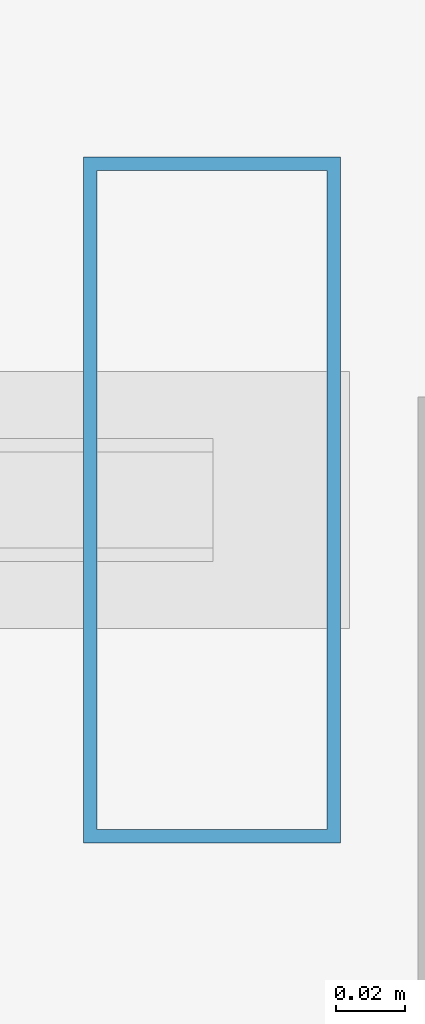
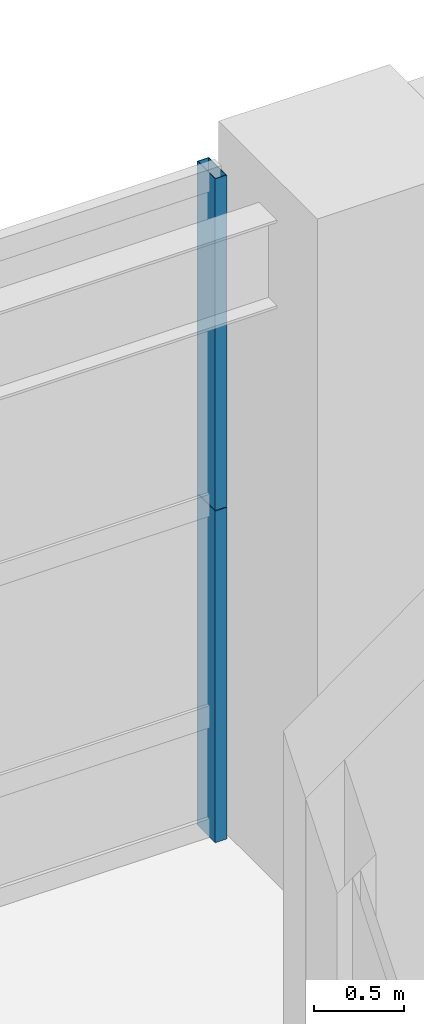
# One storey, part 27 of 39: 2 members, 1 element without a shape of its own.
"""IFC4 building model written with IfcOpenShell, lengths in metres."""

from ifc_helpers import new_model, si_unit, direction, frame, origin, origin_2d, place, context, subcontext, project, spatial, hollow_rectangle, extrude, source, transform, mapped, material, layer, layer_set, material_profile, profile_set, type_object, element, aggregate, save


model = new_model("IFC4")

# Units and contexts
model_context = context("Model", 3, precision=1e-05, world=origin(), true_north=direction((0.0, 1.0)))
body_context = subcontext(model_context, "Body", "Model", "MODEL_VIEW")
ifc_project = project(units=[si_unit("LENGTHUNIT", "METRE"), si_unit("AREAUNIT", "SQUARE_METRE"), si_unit("VOLUMEUNIT", "CUBIC_METRE"), si_unit("PLANEANGLEUNIT", "RADIAN"), si_unit("MASSUNIT", "GRAM", prefix="KILO"), si_unit("THERMODYNAMICTEMPERATUREUNIT", "KELVIN"), si_unit("POWERUNIT", "WATT")], contexts=[model_context])

# Site, building, storey
site_placement = place(None, origin())
site = spatial("IfcSite", under=ifc_project, at=site_placement, CompositionType="ELEMENT")
building_placement = place(site_placement, origin())
building = spatial("IfcBuilding", under=site, at=building_placement, Name="Yuzanri Waterfront Tower", CompositionType="ELEMENT")
storey_placement = place(building_placement, frame((0.0, 0.0, 15.0)))
storey = spatial("IfcBuildingStorey", under=building, at=storey_placement, Name="L04", CompositionType="ELEMENT", Elevation=15.0)

# Curtain wall, members
ifc_material_1 = material(Name="Anodized Architectural Bronze", Category="metal")
ifc_layer = layer(ifc_material_1, 0.159912109375)
ifc_layer_set = layer_set([ifc_layer], Name="Anodized Architectural Bronze")
curtain_wall_type = type_object("IfcCurtainWallType", Name="Anodized Bronze Podium Waterfront Double-Height Unitized Curtain Wall 8400", PredefinedType="NOTDEFINED", material=ifc_layer_set)
curtain_wall_placement = place(storey_placement, origin())
curtain_wall = element("IfcCurtainWall", 1, at=curtain_wall_placement, inside=storey, type_object=curtain_wall_type, Name="L04 Curtain Wall CW-L04-N2", PredefinedType="NOTDEFINED")
ifc_material_2 = material(Name="Anodized Architectural Bronze", Category="metal")
ifc_material_profile = material_profile(ifc_material_2, hollow_rectangle(XDim=0.074951171875, YDim=0.199951171875, WallThickness=0.00390625, at=origin_2d()), Name="CWM 75x200")
ifc_profile_set = profile_set([ifc_material_profile], Name="Anodized Architectural Bronze")
member_type = type_object("IfcMemberType", Name="Anodized Bronze Primary Curtain-Wall Mullion 75x200", PredefinedType="MULLION", material=ifc_profile_set)
shared_shape = source(origin(), body_context, "Body", "SweptSolid", [
    extrude(hollow_rectangle(XDim=0.074951171875, YDim=0.199951171875, WallThickness=0.00390625, at=origin_2d()), origin(), (0.0, 0.0, 1.0), 2.258056640625),
])
member_1_placement = place(storey_placement, frame((57.889892578125, 49.6201171875, 0.0), z_axis=(0.0, 0.0, 1.0), x_axis=(1.0, 0.0, 0.0)))
member_1 = element("IfcMember", 2, at=member_1_placement, type_object=member_type, Name="CW-L04-N2 Lower Mullion 02", PredefinedType="MULLION", context=body_context, shape_type="MappedRepresentation", body=[
    mapped(shared_shape, transform((0.0, 0.0, 0.0), scale=1.0)),
])
member_2_placement = place(storey_placement, frame((57.889892578125, 49.6201171875, 2.261962890625), z_axis=(0.0, 0.0, 1.0), x_axis=(1.0, 0.0, 0.0)))
member_2 = element("IfcMember", 3, at=member_2_placement, type_object=member_type, Name="CW-L04-N2 Upper Mullion 02", PredefinedType="MULLION", context=body_context, shape_type="MappedRepresentation", body=[
    mapped(shared_shape, transform((0.0, 0.0, 0.0), scale=1.0)),
])
aggregate(curtain_wall, [member_1, member_2])

save(model, "model.ifc")
